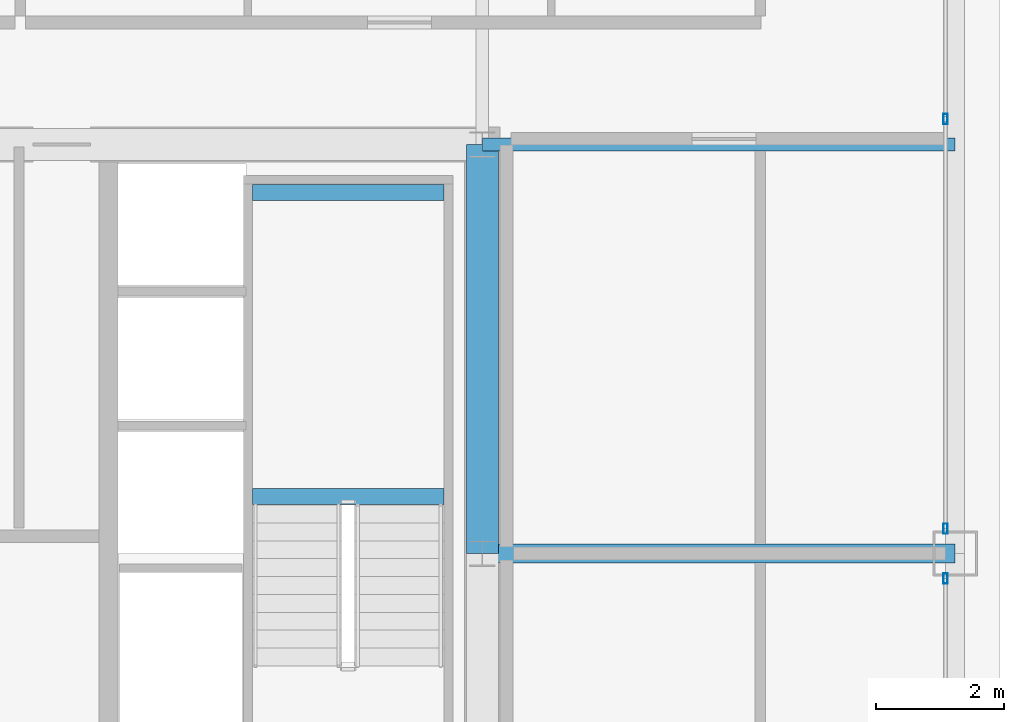
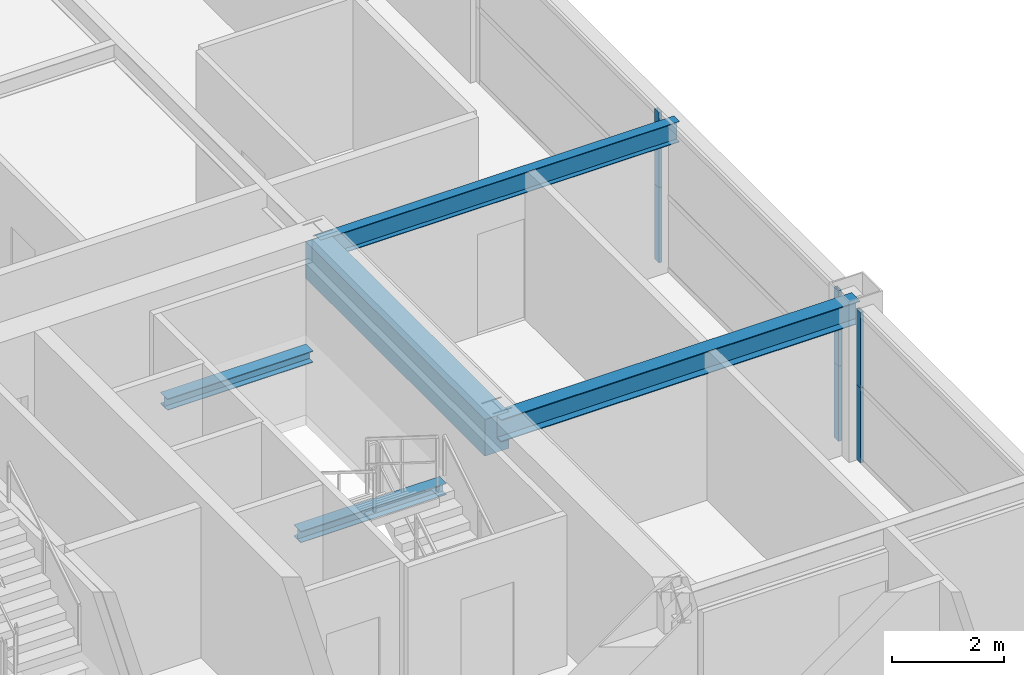
# One storey, part 18 of 34: 6 members, 5 beams, 2 elements without a shape of their own.
"""IFC4 building model written with IfcOpenShell, lengths in metres."""

import ifcopenshell
import ifcopenshell.guid

model = None  # the IFC model being written
_history = None  # IfcOwnerHistory: only IFC2X3 demands one
_inside = {}  # id of a spatial element -> (the spatial element, [elements in it])
_under = {}  # id of a project, library or spatial element -> (it, [spatial elements below it])
_declared = {}  # id of a project -> (the project, [libraries it declares])
_typed = {}  # id of a type object -> (the type object, [elements of that type])
_made_of = {}  # id of a material, layer set ... -> (it, [elements and type objects made of it])


def new_model(schema):
    """Start an empty IFC model of exactly this schema.

    Asked for "IFC4X3", IfcOpenShell would pick the latest addendum, in which some entities
    have other attributes; the version numbers below select the first issue.
    IFC2X3 requires an IfcOwnerHistory on every rooted entity: one is made here for all.
    """
    global model, _history
    if schema == "IFC4X3":
        model = ifcopenshell.file(schema_version=(4, 3, 0, 0))
    else:
        model = ifcopenshell.file(schema=schema)
    _inside.clear()
    _under.clear()
    _declared.clear()
    _typed.clear()
    _made_of.clear()
    _history = None
    if model.schema == "IFC2X3":
        org = make("IfcOrganization", Name="unknown")
        user = make(
            "IfcPersonAndOrganization",
            ThePerson=make("IfcPerson", FamilyName="unknown"),
            TheOrganization=org,
        )
        app = make(
            "IfcApplication",
            ApplicationDeveloper=org,
            Version="unknown",
            ApplicationFullName="unknown",
            ApplicationIdentifier="unknown",
        )
        _history = make(
            "IfcOwnerHistory",
            OwningUser=user,
            OwningApplication=app,
            ChangeAction="ADDED",
            CreationDate=0,
        )
    return model


def make(cls, **values):
    """One entity of the class cls with the attributes given. An attribute that is None is left unset."""
    return model.create_entity(
        cls, **{name: value for name, value in values.items() if value is not None}
    )


def rooted(cls, **values):
    """An entity with a GlobalId (a new one), such as an element, a storey or a relation."""
    return make(cls, GlobalId=ifcopenshell.guid.new(), OwnerHistory=_history, **values)


def si_unit(unit_type, name, prefix=None):
    """IfcSIUnit, for example si_unit("LENGTHUNIT", "METRE", prefix="MILLI")."""
    return make("IfcSIUnit", UnitType=unit_type, Prefix=prefix, Name=name)


def assignment(units):
    """IfcUnitAssignment: the units of a project."""
    return None if units is None else make("IfcUnitAssignment", Units=units)


def point(xyz):
    """IfcCartesianPoint."""
    return None if xyz is None else make("IfcCartesianPoint", Coordinates=xyz)


def direction(xyz):
    """IfcDirection."""
    return None if xyz is None else make("IfcDirection", DirectionRatios=xyz)


def frame(location, z_axis=None, x_axis=None):
    """IfcAxis2Placement3D, a coordinate frame: its origin and axes. An axis left out is left unset."""
    return make(
        "IfcAxis2Placement3D",
        Location=point(location),
        Axis=direction(z_axis),
        RefDirection=direction(x_axis),
    )


def frame_2d(location, x_axis=None):
    """IfcAxis2Placement2D, a coordinate frame in the plane: its origin and x axis."""
    return make(
        "IfcAxis2Placement2D", Location=point(location), RefDirection=direction(x_axis)
    )


def origin():
    """The frame at (0, 0, 0) with its axes left unset."""
    return frame((0.0, 0.0, 0.0))


def origin_2d():
    """The frame at (0, 0) in the plane with its x axis left unset."""
    return frame_2d((0.0, 0.0))


def place(relative_to, where):
    """IfcLocalPlacement: puts the frame where relative to a parent placement (None: the world)."""
    return make(
        "IfcLocalPlacement", PlacementRelTo=relative_to, RelativePlacement=where
    )


def context(
    kind, dimensions, precision=None, world=None, true_north=None, identifier=None
):
    """IfcGeometricRepresentationContext, for example the 3D "Model" context."""
    return make(
        "IfcGeometricRepresentationContext",
        ContextIdentifier=identifier,
        ContextType=kind,
        CoordinateSpaceDimension=dimensions,
        Precision=precision,
        WorldCoordinateSystem=world,
        TrueNorth=true_north,
    )


def subcontext(parent, identifier, kind, view, scale=None):
    """IfcGeometricRepresentationSubContext, for example "Body" below "Model"."""
    return make(
        "IfcGeometricRepresentationSubContext",
        ContextIdentifier=identifier,
        ContextType=kind,
        ParentContext=parent,
        TargetScale=scale,
        TargetView=view,
    )


def project(units=None, contexts=None):
    """IfcProject with its units and contexts."""
    return rooted(
        "IfcProject",
        Name="project",
        RepresentationContexts=contexts,
        UnitsInContext=assignment(units),
    )


def spatial(cls, under=None, at=None, **own):
    """A site, building, storey or space (cls), placed at a placement, below another one or the project."""
    s = rooted(cls, ObjectPlacement=at, **own)
    if under is not None:
        _under.setdefault(under.id(), (under, []))[1].append(s)
    return s


def profile(cls, at=None, kind="AREA", **sizes):
    """A parametric profile (cls). Its sizes go by their IFC names, for example OverallWidth=200.0."""
    return make(cls, ProfileType=kind, Position=at, **sizes)


def rectangle(**sizes):
    """IfcRectangleProfileDef."""
    return profile("IfcRectangleProfileDef", **sizes)


def hollow_rectangle(**sizes):
    """IfcRectangleHollowProfileDef."""
    return profile("IfcRectangleHollowProfileDef", **sizes)


def i_section(**sizes):
    """IfcIShapeProfileDef."""
    return profile("IfcIShapeProfileDef", **sizes)


def extrude(swept, where, along, depth):
    """IfcExtrudedAreaSolid: the profile swept, set in the frame where, extruded along a direction by depth."""
    return make(
        "IfcExtrudedAreaSolid",
        SweptArea=swept,
        Position=where,
        ExtrudedDirection=direction(along),
        Depth=depth,
    )


def shape(context_of_items, identifier, shape_type, items):
    """IfcShapeRepresentation: the items that make up one representation, for example the "Body"."""
    return make(
        "IfcShapeRepresentation",
        ContextOfItems=context_of_items,
        RepresentationIdentifier=identifier,
        RepresentationType=shape_type,
        Items=items,
    )


def source(mapping_origin, context_of_items, identifier, shape_type, items):
    """IfcRepresentationMap: a shape defined once, which mapped items show again and again."""
    return make(
        "IfcRepresentationMap",
        MappingOrigin=mapping_origin,
        MappedRepresentation=shape(context_of_items, identifier, shape_type, items),
    )


def transform(
    local_origin,
    x_axis=None,
    y_axis=None,
    z_axis=None,
    scale=None,
    scale2=None,
    scale3=None,
    uniform=True,
):
    """IfcCartesianTransformationOperator3D, or its non-uniform kind. x_axis, y_axis, z_axis: its Axis1, 2, 3."""
    if uniform:
        return make(
            "IfcCartesianTransformationOperator3D",
            Axis1=direction(x_axis),
            Axis2=direction(y_axis),
            LocalOrigin=point(local_origin),
            Scale=scale,
            Axis3=direction(z_axis),
        )
    return make(
        "IfcCartesianTransformationOperator3DnonUniform",
        Axis1=direction(x_axis),
        Axis2=direction(y_axis),
        LocalOrigin=point(local_origin),
        Scale=scale,
        Axis3=direction(z_axis),
        Scale2=scale2,
        Scale3=scale3,
    )


def mapped(mapping_source, mapping_target):
    """IfcMappedItem: shows the shape of a source again, moved by a transform."""
    return make(
        "IfcMappedItem", MappingSource=mapping_source, MappingTarget=mapping_target
    )


def material(Name=None, Category=None):
    """IfcMaterial."""
    return make("IfcMaterial", Name=Name, Category=Category)


def layer(
    of_material, thickness, ventilated=None, Name=None, Category=None, Priority=None
):
    """IfcMaterialLayer: one layer of a wall or slab, of a material (None: an air gap)."""
    return make(
        "IfcMaterialLayer",
        Material=of_material,
        LayerThickness=thickness,
        IsVentilated=ventilated,
        Name=Name,
        Category=Category,
        Priority=Priority,
    )


def layer_set(layers, Name=None):
    """IfcMaterialLayerSet."""
    return make("IfcMaterialLayerSet", MaterialLayers=layers, LayerSetName=Name)


def material_profile(
    of_material, cross_section, Name=None, Category=None, Priority=None
):
    """IfcMaterialProfile: a cross section and its material."""
    return make(
        "IfcMaterialProfile",
        Name=Name,
        Material=of_material,
        Profile=cross_section,
        Priority=Priority,
        Category=Category,
    )


def profile_set(profiles, Name=None, composite=None):
    """IfcMaterialProfileSet."""
    return make(
        "IfcMaterialProfileSet",
        Name=Name,
        MaterialProfiles=profiles,
        CompositeProfile=composite,
    )


def made_of(thing, what):
    """Note that an element or type object is made of a material, layer set ...; save() writes the relation."""
    if what is not None:
        _made_of.setdefault(what.id(), (what, []))[1].append(thing)
    return thing


def type_object(cls, material=None, **own):
    """A type object (cls), such as IfcWallType, which elements share."""
    return made_of(rooted(cls, **own), material)


def element(
    cls,
    number,
    at=None,
    inside=None,
    cuts=None,
    type_object=None,
    material=None,
    context=None,
    identifier="Body",
    shape_type=None,
    held_by="IfcProductDefinitionShape",
    body=None,
    shapes=None,
    **own,
):
    """One element of the class cls, such as IfcWall. Its Tag is "e" and its number.

    at: its placement. inside: the storey or other place that contains it. cuts: it is an
    opening in that element (IfcRelVoidsElement). A single representation is given by context,
    identifier, shape_type and body (its items); several are given by shapes. held_by: the class
    of the entity that holds the representations. save() writes the other relations.
    """
    e = rooted(cls, Tag="e%d" % number, ObjectPlacement=at, **own)
    if body is not None:
        shapes = [shape(context, identifier, shape_type, body)]
    if shapes is not None:
        e.Representation = make(held_by, Representations=shapes)
    if inside is not None:
        _inside.setdefault(inside.id(), (inside, []))[1].append(e)
    if cuts is not None:
        rooted(
            "IfcRelVoidsElement", RelatingBuildingElement=cuts, RelatedOpeningElement=e
        )
    if type_object is not None:
        _typed.setdefault(type_object.id(), (type_object, []))[1].append(e)
    return made_of(e, material)


def aggregate(whole, parts):
    """IfcRelAggregates: a whole, such as a stair, and the parts it consists of."""
    return rooted("IfcRelAggregates", RelatingObject=whole, RelatedObjects=parts)


def save(model, path):
    """Write the relations noted so far, then the file.

    IfcRelAggregates (storeys below a building ...), IfcRelContainedInSpatialStructure (elements
    in a storey), IfcRelDefinesByType, IfcRelAssociatesMaterial and IfcRelDeclares: one each for
    every whole, place, type object, material and project.
    """
    for whole, parts in _under.values():
        aggregate(whole, parts)
    for where, things in _inside.values():
        rooted(
            "IfcRelContainedInSpatialStructure",
            RelatedElements=things,
            RelatingStructure=where,
        )
    for kind, things in _typed.values():
        rooted("IfcRelDefinesByType", RelatedObjects=things, RelatingType=kind)
    for what, things in _made_of.values():
        rooted("IfcRelAssociatesMaterial", RelatedObjects=things, RelatingMaterial=what)
    for by, libraries in _declared.values():
        rooted("IfcRelDeclares", RelatingContext=by, RelatedDefinitions=libraries)
    model.write(path)


model = new_model("IFC4")

# Units and contexts
model_context = context("Model", 3, precision=1e-05, world=origin(), true_north=direction((0.0, 1.0)))
body_context = subcontext(model_context, "Body", "Model", "MODEL_VIEW")
ifc_project = project(units=[si_unit("LENGTHUNIT", "METRE"), si_unit("AREAUNIT", "SQUARE_METRE"), si_unit("VOLUMEUNIT", "CUBIC_METRE"), si_unit("PLANEANGLEUNIT", "RADIAN"), si_unit("MASSUNIT", "GRAM", prefix="KILO"), si_unit("THERMODYNAMICTEMPERATUREUNIT", "KELVIN"), si_unit("POWERUNIT", "WATT")], contexts=[model_context])

# Site, building, storey
site_placement = place(None, origin())
site = spatial("IfcSite", under=ifc_project, at=site_placement, CompositionType="ELEMENT")
building_placement = place(site_placement, origin())
building = spatial("IfcBuilding", under=site, at=building_placement, Name="Yuzanri Waterfront Tower", CompositionType="ELEMENT")
storey_placement = place(building_placement, frame((0.0, 0.0, 241.60009765625)))
storey = spatial("IfcBuildingStorey", under=building, at=storey_placement, Name="L64", CompositionType="ELEMENT", Elevation=241.60009765625)

# Beams
ifc_material_1 = material(Name="Concrete C50", Category="concrete")
ifc_material_profile_1 = material_profile(ifc_material_1, rectangle(XDim=0.5, YDim=0.800048828125, at=origin_2d()), Name="RC 500x800")
ifc_profile_set_1 = profile_set([ifc_material_profile_1], Name="Concrete C50")
beam_type_1 = type_object("IfcBeamType", Name="Core Coupling Lintel Concrete C50 500x800", PredefinedType="LINTEL", material=ifc_profile_set_1)
shared_shape_1 = source(origin(), body_context, "Body", "SweptSolid", [
    extrude(rectangle(XDim=0.5, YDim=0.800048828125, at=origin_2d()), origin(), (0.0, 0.0, 1.0), 6.39990234375),
])
beam_1_placement = place(storey_placement, frame((50.199951171875, 25.800048828125, 2.8798828125), z_axis=(0.0, 1.0, 0.0), x_axis=(-1.0, 0.0, 0.0)))
element("IfcBeam", 1, at=beam_1_placement, inside=storey, type_object=beam_type_1, Name="L64 Core Tie Beam CE2", PredefinedType="LINTEL", context=body_context, shape_type="MappedRepresentation", body=[
    mapped(shared_shape_1, transform((0.0, 0.0, 0.0), scale=1.0)),
])
ifc_material_2 = material(Name="Steel Q355B", Category="steel")
ifc_material_profile_2 = material_profile(ifc_material_2, i_section(OverallWidth=0.300048828125, OverallDepth=0.488037109375, WebThickness=0.010986328125, FlangeThickness=0.01806640625, at=origin_2d()), Name="HM 488x300x11x18")
ifc_profile_set_2 = profile_set([ifc_material_profile_2], Name="Steel Q355B")
beam_type_2 = type_object("IfcBeamType", Name="Primary Floor Girder Q355B HM 488x300", PredefinedType="BEAM", material=ifc_profile_set_2)
shared_shape_2 = source(origin(), body_context, "Body", "SweptSolid", [
    extrude(i_section(OverallWidth=0.300048828125, OverallDepth=0.488037109375, WebThickness=0.010986328125, FlangeThickness=0.01806640625, at=origin_2d()), origin(), (0.0, 0.0, 1.0), 7.400146484375),
])
beam_2_placement = place(storey_placement, frame((50.199951171875, 25.800048828125, 3.035888671875), z_axis=(1.0, 0.0, 0.0), x_axis=(0.0, 1.0, 0.0)))
element("IfcBeam", 2, at=beam_2_placement, inside=storey, type_object=beam_type_2, Name="L64 East Grid Girder", PredefinedType="BEAM", context=body_context, shape_type="MappedRepresentation", body=[
    mapped(shared_shape_2, transform((0.0, 0.0, 0.0), scale=1.0)),
])
ifc_material_3 = material(Name="Steel Q355B", Category="steel")
ifc_material_profile_3 = material_profile(ifc_material_3, i_section(OverallWidth=0.199951171875, OverallDepth=0.449951171875, WebThickness=0.009033203125, FlangeThickness=0.013916015625, at=origin_2d()), Name="HN 450x200x9x14")
ifc_profile_set_3 = profile_set([ifc_material_profile_3], Name="Steel Q355B")
beam_type_3 = type_object("IfcBeamType", Name="Secondary Floor Beam Q355B HN 450x200", PredefinedType="BEAM", material=ifc_profile_set_3)
shared_shape_3 = source(origin(), body_context, "Body", "SweptSolid", [
    extrude(i_section(OverallWidth=0.199951171875, OverallDepth=0.449951171875, WebThickness=0.009033203125, FlangeThickness=0.013916015625, at=origin_2d()), origin(), (0.0, 0.0, 1.0), 7.400146484375),
])
beam_3_placement = place(storey_placement, frame((50.199951171875, 32.199951171875, 3.054931640625), z_axis=(1.0, 0.0, 0.0), x_axis=(0.0, 1.0, 0.0)))
element("IfcBeam", 3, at=beam_3_placement, inside=storey, type_object=beam_type_3, Name="L64 East-North Core Line Beam", PredefinedType="BEAM", context=body_context, shape_type="MappedRepresentation", body=[
    mapped(shared_shape_3, transform((0.0, 0.0, 0.0), scale=1.0)),
])

# Curtain wall, members
ifc_material_4 = material(Name="Anodized Architectural Bronze", Category="metal")
ifc_layer = layer(ifc_material_4, 0.159912109375)
ifc_layer_set = layer_set([ifc_layer], Name="Anodized Architectural Bronze")
curtain_wall_type = type_object("IfcCurtainWallType", Name="Anodized Bronze Mid-Rise Residential Acoustic Unitized Curtain Wall 7200", PredefinedType="NOTDEFINED", material=ifc_layer_set)
curtain_wall_1_placement = place(storey_placement, origin())
curtain_wall_1 = element("IfcCurtainWall", 4, at=curtain_wall_1_placement, inside=storey, type_object=curtain_wall_type, Name="L64 Curtain Wall CW-L64-EL", PredefinedType="NOTDEFINED")
ifc_material_5 = material(Name="Anodized Architectural Bronze", Category="metal")
ifc_material_profile_4 = material_profile(ifc_material_5, hollow_rectangle(XDim=0.06494140625, YDim=0.159912109375, WallThickness=0.00341796875, at=origin_2d()), Name="CWM 65x160")
ifc_profile_set_4 = profile_set([ifc_material_profile_4], Name="Anodized Architectural Bronze")
member_type = type_object("IfcMemberType", Name="Anodized Bronze Upper-Zone Curtain-Wall Mullion 65x160", PredefinedType="MULLION", material=ifc_profile_set_4)
shared_shape_4 = source(origin(), body_context, "Body", "SweptSolid", [
    extrude(hollow_rectangle(XDim=0.06494140625, YDim=0.159912109375, WallThickness=0.00341796875, at=origin_2d()), origin(), (0.0, 0.0, 1.0), 1.637939453125),
])
member_1_placement = place(storey_placement, frame((57.449951171875, 25.409912109375, 0.0), z_axis=(0.0, 0.0, 1.0), x_axis=(1.0, 0.0, 0.0)))
member_1 = element("IfcMember", 5, at=member_1_placement, type_object=member_type, Name="CW-L64-EL Lower Mullion 02", PredefinedType="MULLION", context=body_context, shape_type="MappedRepresentation", body=[
    mapped(shared_shape_4, transform((0.0, 0.0, 0.0), scale=1.0)),
])
member_2_placement = place(storey_placement, frame((57.449951171875, 25.409912109375, 1.641845703125), z_axis=(0.0, 0.0, 1.0), x_axis=(1.0, 0.0, 0.0)))
member_2 = element("IfcMember", 6, at=member_2_placement, type_object=member_type, Name="CW-L64-EL Upper Mullion 02", PredefinedType="MULLION", context=body_context, shape_type="MappedRepresentation", body=[
    mapped(shared_shape_4, transform((0.0, 0.0, 0.0), scale=1.0)),
])
aggregate(curtain_wall_1, [member_1, member_2])

curtain_wall_2_placement = place(storey_placement, origin())
curtain_wall_2 = element("IfcCurtainWall", 7, at=curtain_wall_2_placement, inside=storey, type_object=curtain_wall_type, Name="L64 Curtain Wall CW-L64-ER", PredefinedType="NOTDEFINED")
member_3_placement = place(storey_placement, frame((57.449951171875, 26.18994140625, 0.0), z_axis=(0.0, 0.0, 1.0), x_axis=(1.0, 0.0, 0.0)))
member_3 = element("IfcMember", 8, at=member_3_placement, type_object=member_type, Name="CW-L64-ER Lower Mullion 00", PredefinedType="MULLION", context=body_context, shape_type="MappedRepresentation", body=[
    mapped(shared_shape_4, transform((0.0, 0.0, 0.0), scale=1.0)),
])
member_4_placement = place(storey_placement, frame((57.449951171875, 26.18994140625, 1.641845703125), z_axis=(0.0, 0.0, 1.0), x_axis=(1.0, 0.0, 0.0)))
member_4 = element("IfcMember", 9, at=member_4_placement, type_object=member_type, Name="CW-L64-ER Upper Mullion 00", PredefinedType="MULLION", context=body_context, shape_type="MappedRepresentation", body=[
    mapped(shared_shape_4, transform((0.0, 0.0, 0.0), scale=1.0)),
])
member_5_placement = place(storey_placement, frame((57.449951171875, 32.60009765625, 0.0), z_axis=(0.0, 0.0, 1.0), x_axis=(1.0, 0.0, 0.0)))
member_5 = element("IfcMember", 10, at=member_5_placement, type_object=member_type, Name="CW-L64-ER Lower Mullion 01", PredefinedType="MULLION", context=body_context, shape_type="MappedRepresentation", body=[
    mapped(shared_shape_4, transform((0.0, 0.0, 0.0), scale=1.0)),
])
member_6_placement = place(storey_placement, frame((57.449951171875, 32.60009765625, 1.641845703125), z_axis=(0.0, 0.0, 1.0), x_axis=(1.0, 0.0, 0.0)))
member_6 = element("IfcMember", 11, at=member_6_placement, type_object=member_type, Name="CW-L64-ER Upper Mullion 01", PredefinedType="MULLION", context=body_context, shape_type="MappedRepresentation", body=[
    mapped(shared_shape_4, transform((0.0, 0.0, 0.0), scale=1.0)),
])
aggregate(curtain_wall_2, [member_3, member_4, member_5, member_6])

# Beams
ifc_material_6 = material(Name="Steel Q355B", Category="steel")
ifc_material_profile_5 = material_profile(ifc_material_6, i_section(OverallWidth=0.25, OverallDepth=0.25, WebThickness=0.009033203125, FlangeThickness=0.013916015625, at=origin_2d()), Name="HW 250x250x9x14")
ifc_profile_set_5 = profile_set([ifc_material_profile_5], Name="Steel Q355B")
beam_type_4 = type_object("IfcBeamType", Name="Stair Landing Support Beam Q355B HW 250x250", PredefinedType="BEAM", material=ifc_profile_set_5)
shared_shape_5 = source(origin(), body_context, "Body", "SweptSolid", [
    extrude(i_section(OverallWidth=0.25, OverallDepth=0.25, WebThickness=0.009033203125, FlangeThickness=0.013916015625, at=origin_2d()), origin(), (0.0, 0.0, 1.0), 3.0),
])
for number, where, z_axis, x_axis, name in (
    (12, (46.60009765625, 26.68994140625, 1.4248046875), (1.0, 0.0, 0.0), (0.0, 1.0, 0.0), "L64 Stair Landing Support Beam ST-02-L64-L1-1"),
    (13, (46.60009765625, 31.449951171875, 1.4248046875), (1.0, 0.0, 0.0), (0.0, 1.0, 0.0), "L64 Stair Landing Support Beam ST-02-L64-L1-2"),
):
    element("IfcBeam", number, at=place(storey_placement, frame(where, z_axis=z_axis, x_axis=x_axis)), inside=storey, type_object=beam_type_4, Name=name, PredefinedType="BEAM", context=body_context, shape_type="MappedRepresentation", body=[
        mapped(shared_shape_5, transform((0.0, 0.0, 0.0), scale=1.0)),
    ])

save(model, "model.ifc")
